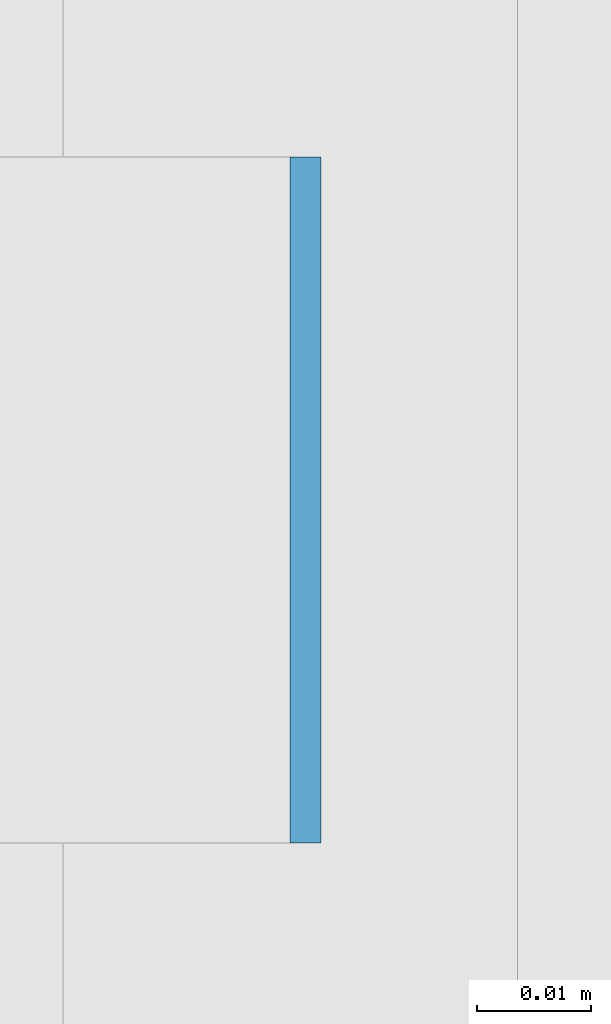
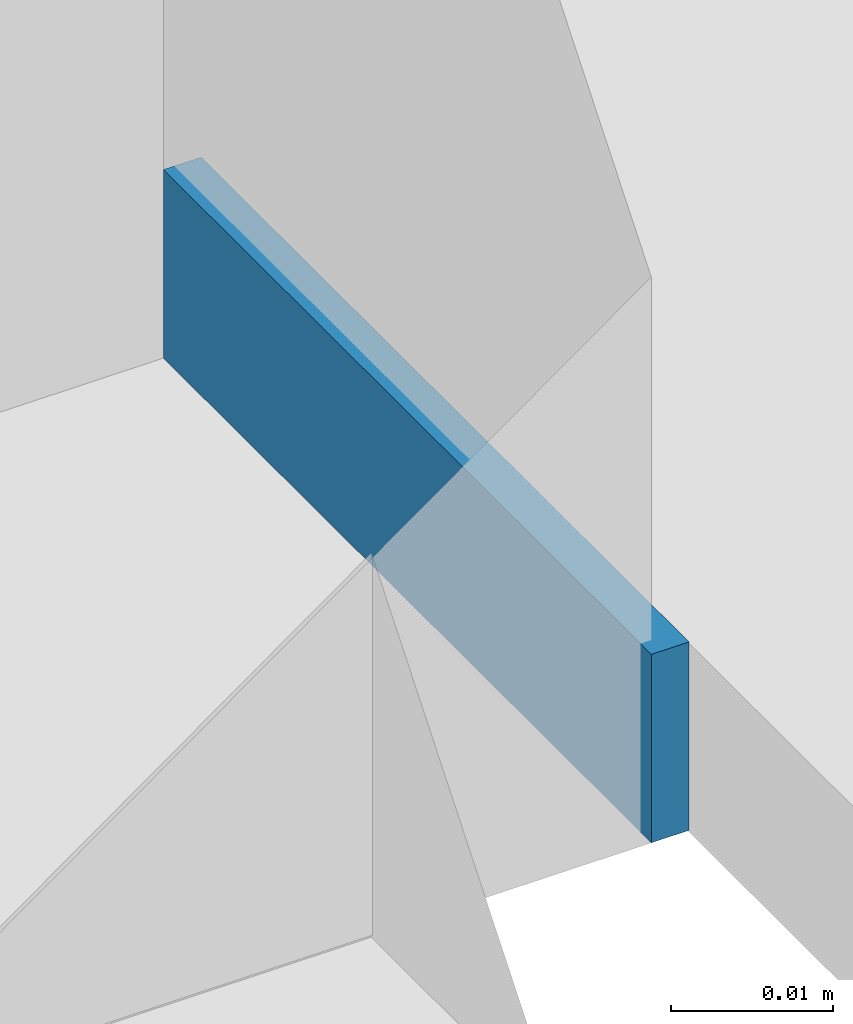
# One storey, part 384 of 646: 1 discrete accessory.
"""IFC4 building model written with IfcOpenShell, lengths in metres."""

import ifcopenshell
import ifcopenshell.guid

model = None  # the IFC model being written
_history = None  # IfcOwnerHistory: only IFC2X3 demands one
_inside = {}  # id of a spatial element -> (the spatial element, [elements in it])
_under = {}  # id of a project, library or spatial element -> (it, [spatial elements below it])
_declared = {}  # id of a project -> (the project, [libraries it declares])
_typed = {}  # id of a type object -> (the type object, [elements of that type])
_made_of = {}  # id of a material, layer set ... -> (it, [elements and type objects made of it])


def new_model(schema):
    """Start an empty IFC model of exactly this schema.

    Asked for "IFC4X3", IfcOpenShell would pick the latest addendum, in which some entities
    have other attributes; the version numbers below select the first issue.
    IFC2X3 requires an IfcOwnerHistory on every rooted entity: one is made here for all.
    """
    global model, _history
    if schema == "IFC4X3":
        model = ifcopenshell.file(schema_version=(4, 3, 0, 0))
    else:
        model = ifcopenshell.file(schema=schema)
    _inside.clear()
    _under.clear()
    _declared.clear()
    _typed.clear()
    _made_of.clear()
    _history = None
    if model.schema == "IFC2X3":
        org = make("IfcOrganization", Name="unknown")
        user = make(
            "IfcPersonAndOrganization",
            ThePerson=make("IfcPerson", FamilyName="unknown"),
            TheOrganization=org,
        )
        app = make(
            "IfcApplication",
            ApplicationDeveloper=org,
            Version="unknown",
            ApplicationFullName="unknown",
            ApplicationIdentifier="unknown",
        )
        _history = make(
            "IfcOwnerHistory",
            OwningUser=user,
            OwningApplication=app,
            ChangeAction="ADDED",
            CreationDate=0,
        )
    return model


def make(cls, **values):
    """One entity of the class cls with the attributes given. An attribute that is None is left unset."""
    return model.create_entity(
        cls, **{name: value for name, value in values.items() if value is not None}
    )


def rooted(cls, **values):
    """An entity with a GlobalId (a new one), such as an element, a storey or a relation."""
    return make(cls, GlobalId=ifcopenshell.guid.new(), OwnerHistory=_history, **values)


def si_unit(unit_type, name, prefix=None):
    """IfcSIUnit, for example si_unit("LENGTHUNIT", "METRE", prefix="MILLI")."""
    return make("IfcSIUnit", UnitType=unit_type, Prefix=prefix, Name=name)


def assignment(units):
    """IfcUnitAssignment: the units of a project."""
    return None if units is None else make("IfcUnitAssignment", Units=units)


def point(xyz):
    """IfcCartesianPoint."""
    return None if xyz is None else make("IfcCartesianPoint", Coordinates=xyz)


def direction(xyz):
    """IfcDirection."""
    return None if xyz is None else make("IfcDirection", DirectionRatios=xyz)


def frame(location, z_axis=None, x_axis=None):
    """IfcAxis2Placement3D, a coordinate frame: its origin and axes. An axis left out is left unset."""
    return make(
        "IfcAxis2Placement3D",
        Location=point(location),
        Axis=direction(z_axis),
        RefDirection=direction(x_axis),
    )


def frame_2d(location, x_axis=None):
    """IfcAxis2Placement2D, a coordinate frame in the plane: its origin and x axis."""
    return make(
        "IfcAxis2Placement2D", Location=point(location), RefDirection=direction(x_axis)
    )


def origin():
    """The frame at (0, 0, 0) with its axes left unset."""
    return frame((0.0, 0.0, 0.0))


def origin_2d():
    """The frame at (0, 0) in the plane with its x axis left unset."""
    return frame_2d((0.0, 0.0))


def place(relative_to, where):
    """IfcLocalPlacement: puts the frame where relative to a parent placement (None: the world)."""
    return make(
        "IfcLocalPlacement", PlacementRelTo=relative_to, RelativePlacement=where
    )


def context(
    kind, dimensions, precision=None, world=None, true_north=None, identifier=None
):
    """IfcGeometricRepresentationContext, for example the 3D "Model" context."""
    return make(
        "IfcGeometricRepresentationContext",
        ContextIdentifier=identifier,
        ContextType=kind,
        CoordinateSpaceDimension=dimensions,
        Precision=precision,
        WorldCoordinateSystem=world,
        TrueNorth=true_north,
    )


def subcontext(parent, identifier, kind, view, scale=None):
    """IfcGeometricRepresentationSubContext, for example "Body" below "Model"."""
    return make(
        "IfcGeometricRepresentationSubContext",
        ContextIdentifier=identifier,
        ContextType=kind,
        ParentContext=parent,
        TargetScale=scale,
        TargetView=view,
    )


def project(units=None, contexts=None):
    """IfcProject with its units and contexts."""
    return rooted(
        "IfcProject",
        Name="project",
        RepresentationContexts=contexts,
        UnitsInContext=assignment(units),
    )


def spatial(cls, under=None, at=None, **own):
    """A site, building, storey or space (cls), placed at a placement, below another one or the project."""
    s = rooted(cls, ObjectPlacement=at, **own)
    if under is not None:
        _under.setdefault(under.id(), (under, []))[1].append(s)
    return s


def profile(cls, at=None, kind="AREA", **sizes):
    """A parametric profile (cls). Its sizes go by their IFC names, for example OverallWidth=200.0."""
    return make(cls, ProfileType=kind, Position=at, **sizes)


def rectangle(**sizes):
    """IfcRectangleProfileDef."""
    return profile("IfcRectangleProfileDef", **sizes)


def extrude(swept, where, along, depth):
    """IfcExtrudedAreaSolid: the profile swept, set in the frame where, extruded along a direction by depth."""
    return make(
        "IfcExtrudedAreaSolid",
        SweptArea=swept,
        Position=where,
        ExtrudedDirection=direction(along),
        Depth=depth,
    )


def shape(context_of_items, identifier, shape_type, items):
    """IfcShapeRepresentation: the items that make up one representation, for example the "Body"."""
    return make(
        "IfcShapeRepresentation",
        ContextOfItems=context_of_items,
        RepresentationIdentifier=identifier,
        RepresentationType=shape_type,
        Items=items,
    )


def material(Name=None, Category=None):
    """IfcMaterial."""
    return make("IfcMaterial", Name=Name, Category=Category)


def made_of(thing, what):
    """Note that an element or type object is made of a material, layer set ...; save() writes the relation."""
    if what is not None:
        _made_of.setdefault(what.id(), (what, []))[1].append(thing)
    return thing


def type_object(cls, material=None, **own):
    """A type object (cls), such as IfcWallType, which elements share."""
    return made_of(rooted(cls, **own), material)


def element(
    cls,
    number,
    at=None,
    inside=None,
    cuts=None,
    type_object=None,
    material=None,
    context=None,
    identifier="Body",
    shape_type=None,
    held_by="IfcProductDefinitionShape",
    body=None,
    shapes=None,
    **own,
):
    """One element of the class cls, such as IfcWall. Its Tag is "e" and its number.

    at: its placement. inside: the storey or other place that contains it. cuts: it is an
    opening in that element (IfcRelVoidsElement). A single representation is given by context,
    identifier, shape_type and body (its items); several are given by shapes. held_by: the class
    of the entity that holds the representations. save() writes the other relations.
    """
    e = rooted(cls, Tag="e%d" % number, ObjectPlacement=at, **own)
    if body is not None:
        shapes = [shape(context, identifier, shape_type, body)]
    if shapes is not None:
        e.Representation = make(held_by, Representations=shapes)
    if inside is not None:
        _inside.setdefault(inside.id(), (inside, []))[1].append(e)
    if cuts is not None:
        rooted(
            "IfcRelVoidsElement", RelatingBuildingElement=cuts, RelatedOpeningElement=e
        )
    if type_object is not None:
        _typed.setdefault(type_object.id(), (type_object, []))[1].append(e)
    return made_of(e, material)


def aggregate(whole, parts):
    """IfcRelAggregates: a whole, such as a stair, and the parts it consists of."""
    return rooted("IfcRelAggregates", RelatingObject=whole, RelatedObjects=parts)


def save(model, path):
    """Write the relations noted so far, then the file.

    IfcRelAggregates (storeys below a building ...), IfcRelContainedInSpatialStructure (elements
    in a storey), IfcRelDefinesByType, IfcRelAssociatesMaterial and IfcRelDeclares: one each for
    every whole, place, type object, material and project.
    """
    for whole, parts in _under.values():
        aggregate(whole, parts)
    for where, things in _inside.values():
        rooted(
            "IfcRelContainedInSpatialStructure",
            RelatedElements=things,
            RelatingStructure=where,
        )
    for kind, things in _typed.values():
        rooted("IfcRelDefinesByType", RelatedObjects=things, RelatingType=kind)
    for what, things in _made_of.values():
        rooted("IfcRelAssociatesMaterial", RelatedObjects=things, RelatingMaterial=what)
    for by, libraries in _declared.values():
        rooted("IfcRelDeclares", RelatingContext=by, RelatedDefinitions=libraries)
    model.write(path)


model = new_model("IFC4")

# Units and contexts
model_context = context("Model", 3, precision=1e-05, world=origin(), true_north=direction((0.0, 1.0)))
body_context = subcontext(model_context, "Body", "Model", "MODEL_VIEW")
ifc_project = project(units=[si_unit("LENGTHUNIT", "METRE"), si_unit("AREAUNIT", "SQUARE_METRE"), si_unit("VOLUMEUNIT", "CUBIC_METRE"), si_unit("PLANEANGLEUNIT", "RADIAN"), si_unit("MASSUNIT", "GRAM", prefix="KILO")], contexts=[model_context])

# Site, building, storey
site_placement = place(None, origin())
site = spatial("IfcSite", under=ifc_project, at=site_placement, CompositionType="ELEMENT")
building_placement = place(site_placement, origin())
building = spatial("IfcBuilding", under=site, at=building_placement, Name="Silverbay Arena", CompositionType="ELEMENT")
storey_placement = place(building_placement, frame((0.0, 0.0, 33.5)))
storey = spatial("IfcBuildingStorey", under=building, at=storey_placement, Name="L05", CompositionType="ELEMENT", Elevation=33.5)

# Discrete accessory
ifc_material = material(Name="Steel S355", Category="steel")
discrete_accessory_type = type_object("IfcDiscreteAccessoryType", Name="Steel bracket plate", PredefinedType="BRACKET", material=ifc_material)
discrete_accessory_placement = place(storey_placement, frame((53.871337890625, 109.28564453125, 4.0), z_axis=(0.0, 0.0, 1.0), x_axis=(1.0, 0.0, 0.0)))
element("IfcDiscreteAccessory", 1, at=discrete_accessory_placement, inside=storey, type_object=discrete_accessory_type, Name="Curtain wall packing plate", PredefinedType="BRACKET", context=body_context, shape_type="SweptSolid", body=[
    extrude(rectangle(XDim=0.002685546875, YDim=0.06005859375, at=origin_2d()), origin(), (0.0, 0.0, 1.0), 0.01416015625),
])

save(model, "model.ifc")
